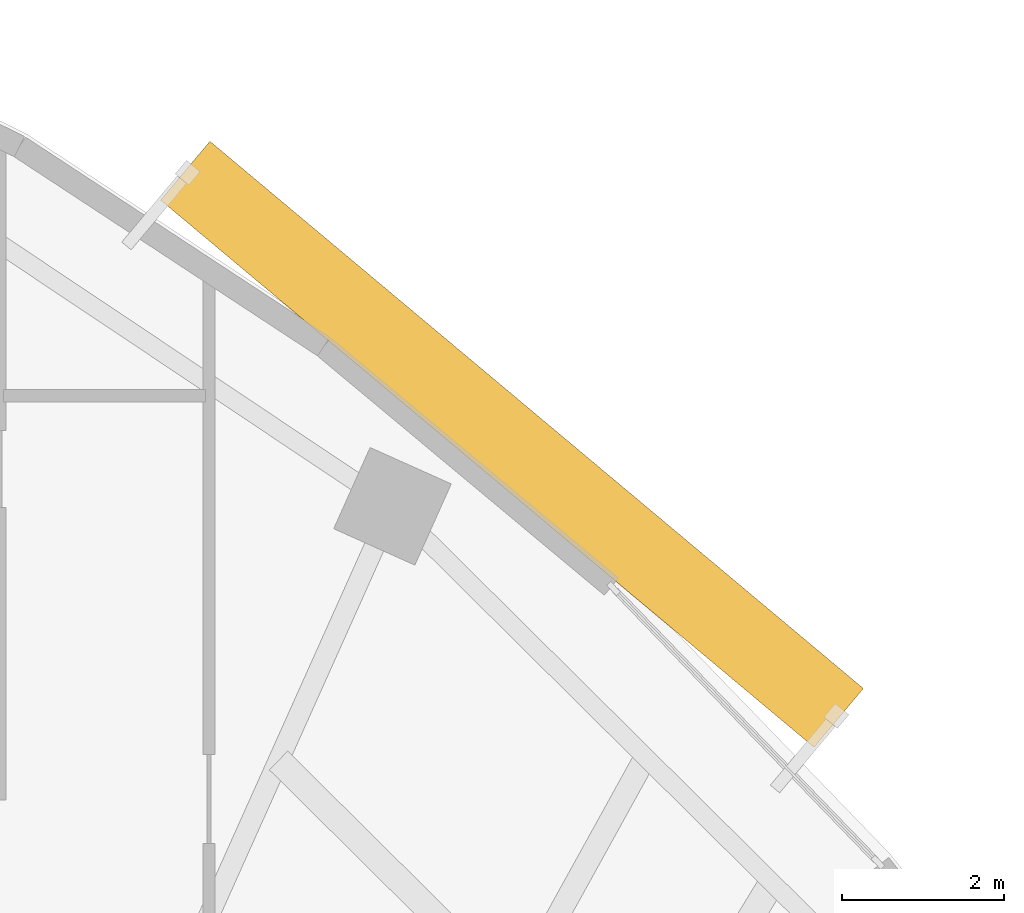
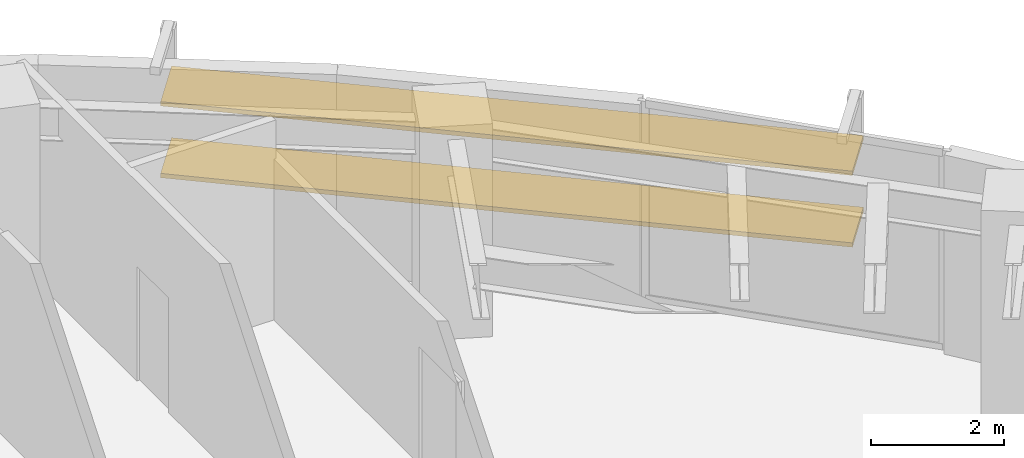
# One storey, part 13 of 13: 2 shading devices.
"""IFC4 building model written with IfcOpenShell, lengths in metres."""

from ifc_helpers import new_model, si_unit, direction, frame, origin, origin_2d, place, context, subcontext, project, spatial, rectangle, extrude, source, transform, mapped, material, material_profile, profile_set, type_object, element, save


model = new_model("IFC4")

# Units and contexts
model_context = context("Model", 3, precision=1e-05, world=origin(), true_north=direction((0.0, 1.0)))
body_context = subcontext(model_context, "Body", "Model", "MODEL_VIEW")
ifc_project = project(units=[si_unit("LENGTHUNIT", "METRE"), si_unit("AREAUNIT", "SQUARE_METRE"), si_unit("VOLUMEUNIT", "CUBIC_METRE"), si_unit("PLANEANGLEUNIT", "RADIAN"), si_unit("MASSUNIT", "GRAM", prefix="KILO")], contexts=[model_context])

# Site, building, storey
site_placement = place(None, origin())
site = spatial("IfcSite", under=ifc_project, at=site_placement, CompositionType="ELEMENT")
building_placement = place(site_placement, origin())
building = spatial("IfcBuilding", under=site, at=building_placement, Name="Breltana Convention Tower", CompositionType="ELEMENT")
storey_placement = place(building_placement, frame((0.0, 0.0, 146.699951171875)))
storey = spatial("IfcBuildingStorey", under=building, at=storey_placement, Name="L35", CompositionType="ELEMENT", Elevation=146.699951171875)

# Shading devices
ifc_material = material(Name="Limestone Warm Buff Honed", Category="masonry")
ifc_material_profile = material_profile(ifc_material, rectangle(XDim=0.949951171875, YDim=0.080078125, at=origin_2d()), Name="STN-LVR-950X80")
ifc_profile_set = profile_set([ifc_material_profile], Name="Limestone Warm Buff Honed")
shading_device_type = type_object("IfcShadingDeviceType", Name="SHD-OUTER-SKIN-LIMESTONE-950", PredefinedType="JALOUSIE", material=ifc_profile_set)
shared_shape = source(origin(), body_context, "Body", "SweptSolid", [
    extrude(rectangle(XDim=0.949951171875, YDim=0.080078125, at=origin_2d()), origin(), (0.0, 0.0, 1.0), 10.538330078125),
])
for number, where, z_axis, x_axis, name in (
    (1, (66.34814453125, 72.782958984375, 1.31396484375), (0.766705694316, -0.641998736996, 0.0), (0.641998736996, 0.766705694316, 0.0), "L35 outer skin warm limestone louvre 2.1"),
    (2, (66.34814453125, 72.782958984375, 2.6279296875), (0.766705694316, -0.641998736996, 0.0), (0.641998736996, 0.766705694316, 0.0), "L35 outer skin warm limestone louvre 2.2"),
):
    element("IfcShadingDevice", number, at=place(storey_placement, frame(where, z_axis=z_axis, x_axis=x_axis)), inside=storey, type_object=shading_device_type, Name=name, PredefinedType="JALOUSIE", context=body_context, shape_type="MappedRepresentation", body=[
        mapped(shared_shape, transform((0.0, 0.0, 0.0), scale=1.0)),
    ])

save(model, "model.ifc")
